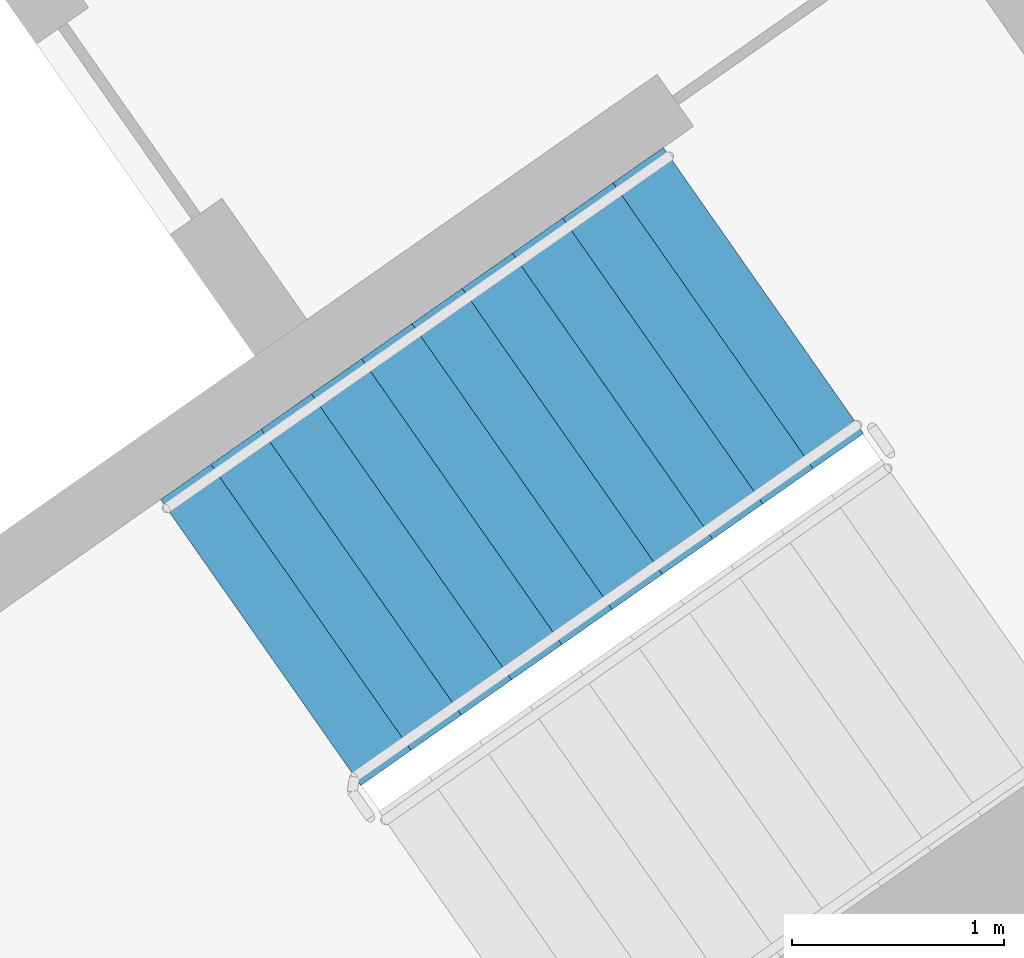
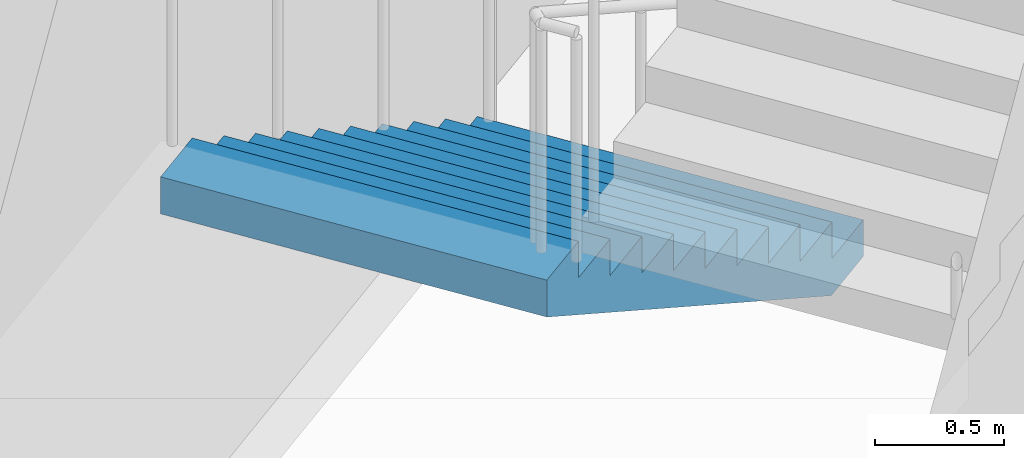
# One storey, part 13 of 30: 1 stair flight, 1 element without a shape of its own.
"""IFC4 building model written with IfcOpenShell, lengths in metres."""

from ifc_helpers import new_model, si_unit, direction, frame, origin, place, context, subcontext, project, spatial, faceted_brep, material, type_object, element, aggregate, save


model = new_model("IFC4")

# Units and contexts
model_context = context("Model", 3, precision=1e-05, world=origin(), true_north=direction((0.0, 1.0)))
body_context = subcontext(model_context, "Body", "Model", "MODEL_VIEW")
ifc_project = project(units=[si_unit("LENGTHUNIT", "METRE"), si_unit("AREAUNIT", "SQUARE_METRE"), si_unit("VOLUMEUNIT", "CUBIC_METRE"), si_unit("PLANEANGLEUNIT", "RADIAN"), si_unit("MASSUNIT", "GRAM", prefix="KILO")], contexts=[model_context])

# Site, building, storey
site_placement = place(None, origin())
site = spatial("IfcSite", under=ifc_project, at=site_placement, CompositionType="ELEMENT")
building_placement = place(site_placement, origin())
building = spatial("IfcBuilding", under=site, at=building_placement, Name="Qamariyya Broadcast Tower", CompositionType="ELEMENT")
storey_placement = place(building_placement, frame((0.0, 0.0, 203.699951171875)))
storey = spatial("IfcBuildingStorey", under=building, at=storey_placement, Name="L48", CompositionType="ELEMENT", Elevation=203.699951171875)

# Stair, stair flight
ifc_material = material(Name="Concrete C50/60", Category="concrete")
stair_type = type_object("IfcStairType", Name="Exit stair 22 risers of 173 mm", PredefinedType="HALF_TURN_STAIR", material=ifc_material)
stair_placement = place(storey_placement, origin())
stair = element("IfcStair", 1, at=stair_placement, inside=storey, type_object=stair_type, Name="L48 Stair E1", PredefinedType="HALF_TURN_STAIR")
stair_flight_type = type_object("IfcStairFlightType", Name="Exit stair flight 11 risers of 173 mm", PredefinedType="STRAIGHT", material=ifc_material)
stair_flight_placement = place(storey_placement, frame((46.036376953125, -55.508056640625, 0.0), z_axis=(0.0, 0.0, 1.0), x_axis=(-0.819152044289, -0.573576436351, 0.0)))
stair_flight = element("IfcStairFlight", 2, at=stair_flight_placement, type_object=stair_flight_type, Name="ST-E1 flight 1", NumberOfRisers=11, NumberOfTreads=10, PredefinedType="STRAIGHT", RiserHeight=0.172727273, TreadLength=0.29, context=body_context, shape_type="Brep", body=[
    faceted_brep([(0.0, 0.824951171875, 0.0), (0.0, 0.824951171875, 0.172607421875), (0.2900390625, 0.824951171875, 0.172607421875), (0.2900390625, 0.824951171875, 0.345458984375), (0.580078125, 0.824951171875, 0.345458984375), (0.580078125, 0.824951171875, 0.51806640625), (0.8701171875, 0.824951171875, 0.51806640625), (0.8701171875, 0.824951171875, 0.69091796875), (1.159912109375, 0.824951171875, 0.69091796875), (1.159912109375, 0.824951171875, 0.863525390625), (1.449951171875, 0.824951171875, 0.863525390625), (1.449951171875, 0.824951171875, 1.036376953125), (1.739990234375, 0.824951171875, 1.036376953125), (1.739990234375, 0.824951171875, 1.208984375), (2.030029296875, 0.824951171875, 1.208984375), (2.030029296875, 0.824951171875, 1.3818359375), (2.320068359375, 0.824951171875, 1.3818359375), (2.320068359375, 0.824951171875, 1.554443359375), (2.610107421875, 0.824951171875, 1.554443359375), (2.610107421875, 0.824951171875, 1.727294921875), (2.89990234375, 0.824951171875, 1.727294921875), (2.89990234375, 0.824951171875, 1.552734375), (0.29296875, 0.824951171875, 0.0), (0.29296875, -0.824951171875, 0.0), (2.89990234375, -0.824951171875, 1.552734375), (2.89990234375, -0.824951171875, 1.727294921875), (2.610107421875, -0.824951171875, 1.727294921875), (2.610107421875, -0.824951171875, 1.554443359375), (2.320068359375, -0.824951171875, 1.554443359375), (2.320068359375, -0.824951171875, 1.3818359375), (2.030029296875, -0.824951171875, 1.3818359375), (2.030029296875, -0.824951171875, 1.208984375), (1.739990234375, -0.824951171875, 1.208984375), (1.739990234375, -0.824951171875, 1.036376953125), (1.449951171875, -0.824951171875, 1.036376953125), (1.449951171875, -0.824951171875, 0.863525390625), (1.159912109375, -0.824951171875, 0.863525390625), (1.159912109375, -0.824951171875, 0.69091796875), (0.8701171875, -0.824951171875, 0.69091796875), (0.8701171875, -0.824951171875, 0.51806640625), (0.580078125, -0.824951171875, 0.51806640625), (0.580078125, -0.824951171875, 0.345458984375), (0.2900390625, -0.824951171875, 0.345458984375), (0.2900390625, -0.824951171875, 0.172607421875), (0.0, -0.824951171875, 0.172607421875), (0.0, -0.824951171875, 0.0), (0.0, 0.10009765625, 0.0), (0.0, 0.086669921875, 0.0), (0.0, 0.0732421875, 0.0), (0.0, 0.06005859375, 0.0), (0.0, 0.046630859375, 0.0), (0.0, 0.033447265625, 0.0), (0.0, 0.02001953125, 0.0), (0.0, 0.006591796875, 0.0), (0.0, -0.006591796875, 0.0), (0.0, -0.02001953125, 0.0), (0.0, -0.033447265625, 0.0), (0.0, -0.046630859375, 0.0), (0.0, -0.06005859375, 0.0), (0.0, -0.0732421875, 0.0), (0.0, -0.086669921875, 0.0), (0.0, -0.10009765625, 0.0), (0.0, -0.10009765625, 0.172607421875), (0.0, -0.086669921875, 0.172607421875), (0.0, -0.0732421875, 0.172607421875), (0.0, -0.06005859375, 0.172607421875), (0.0, -0.046630859375, 0.172607421875), (0.0, -0.033447265625, 0.172607421875), (0.0, -0.02001953125, 0.172607421875), (0.0, -0.006591796875, 0.172607421875), (0.0, 0.006591796875, 0.172607421875), (0.0, 0.02001953125, 0.172607421875), (0.0, 0.033447265625, 0.172607421875), (0.0, 0.046630859375, 0.172607421875), (0.0, 0.06005859375, 0.172607421875), (0.0, 0.0732421875, 0.172607421875), (0.0, 0.086669921875, 0.172607421875), (0.0, 0.10009765625, 0.172607421875), (0.2900390625, -0.10009765625, 0.172607421875), (0.2900390625, -0.086669921875, 0.172607421875), (0.2900390625, -0.0732421875, 0.172607421875), (0.2900390625, -0.06005859375, 0.172607421875), (0.2900390625, -0.046630859375, 0.172607421875), (0.2900390625, -0.033447265625, 0.172607421875), (0.2900390625, -0.02001953125, 0.172607421875), (0.2900390625, -0.006591796875, 0.172607421875), (0.2900390625, 0.006591796875, 0.172607421875), (0.2900390625, 0.02001953125, 0.172607421875), (0.2900390625, 0.033447265625, 0.172607421875), (0.2900390625, 0.046630859375, 0.172607421875), (0.2900390625, 0.06005859375, 0.172607421875), (0.2900390625, 0.0732421875, 0.172607421875), (0.2900390625, 0.086669921875, 0.172607421875), (0.2900390625, 0.10009765625, 0.172607421875), (0.2900390625, -0.10009765625, 0.345458984375), (0.2900390625, -0.086669921875, 0.345458984375), (0.2900390625, -0.0732421875, 0.345458984375), (0.2900390625, -0.06005859375, 0.345458984375), (0.2900390625, -0.046630859375, 0.345458984375), (0.2900390625, -0.033447265625, 0.345458984375), (0.2900390625, -0.02001953125, 0.345458984375), (0.2900390625, -0.006591796875, 0.345458984375), (0.2900390625, 0.006591796875, 0.345458984375), (0.2900390625, 0.02001953125, 0.345458984375), (0.2900390625, 0.033447265625, 0.345458984375), (0.2900390625, 0.046630859375, 0.345458984375), (0.2900390625, 0.06005859375, 0.345458984375), (0.2900390625, 0.0732421875, 0.345458984375), (0.2900390625, 0.086669921875, 0.345458984375), (0.2900390625, 0.10009765625, 0.345458984375), (0.580078125, -0.10009765625, 0.345458984375), (0.580078125, -0.086669921875, 0.345458984375), (0.580078125, -0.0732421875, 0.345458984375), (0.580078125, -0.06005859375, 0.345458984375), (0.580078125, -0.046630859375, 0.345458984375), (0.580078125, -0.033447265625, 0.345458984375), (0.580078125, -0.02001953125, 0.345458984375), (0.580078125, -0.006591796875, 0.345458984375), (0.580078125, 0.006591796875, 0.345458984375), (0.580078125, 0.02001953125, 0.345458984375), (0.580078125, 0.033447265625, 0.345458984375), (0.580078125, 0.046630859375, 0.345458984375), (0.580078125, 0.06005859375, 0.345458984375), (0.580078125, 0.0732421875, 0.345458984375), (0.580078125, 0.086669921875, 0.345458984375), (0.580078125, 0.10009765625, 0.345458984375), (0.580078125, -0.10009765625, 0.51806640625), (0.580078125, -0.086669921875, 0.51806640625), (0.580078125, -0.0732421875, 0.51806640625), (0.580078125, -0.06005859375, 0.51806640625), (0.580078125, -0.046630859375, 0.51806640625), (0.580078125, -0.033447265625, 0.51806640625), (0.580078125, -0.02001953125, 0.51806640625), (0.580078125, -0.006591796875, 0.51806640625), (0.580078125, 0.006591796875, 0.51806640625), (0.580078125, 0.02001953125, 0.51806640625), (0.580078125, 0.033447265625, 0.51806640625), (0.580078125, 0.046630859375, 0.51806640625), (0.580078125, 0.06005859375, 0.51806640625), (0.580078125, 0.0732421875, 0.51806640625), (0.580078125, 0.086669921875, 0.51806640625), (0.580078125, 0.10009765625, 0.51806640625), (0.8701171875, -0.10009765625, 0.51806640625), (0.8701171875, -0.086669921875, 0.51806640625), (0.8701171875, -0.0732421875, 0.51806640625), (0.8701171875, -0.06005859375, 0.51806640625), (0.8701171875, -0.046630859375, 0.51806640625), (0.8701171875, -0.033447265625, 0.51806640625), (0.8701171875, -0.02001953125, 0.51806640625), (0.8701171875, -0.006591796875, 0.51806640625), (0.8701171875, 0.006591796875, 0.51806640625), (0.8701171875, 0.02001953125, 0.51806640625), (0.8701171875, 0.033447265625, 0.51806640625), (0.8701171875, 0.046630859375, 0.51806640625), (0.8701171875, 0.06005859375, 0.51806640625), (0.8701171875, 0.0732421875, 0.51806640625), (0.8701171875, 0.086669921875, 0.51806640625), (0.8701171875, 0.10009765625, 0.51806640625), (0.8701171875, -0.10009765625, 0.69091796875), (0.8701171875, -0.086669921875, 0.69091796875), (0.8701171875, -0.0732421875, 0.69091796875), (0.8701171875, -0.06005859375, 0.69091796875), (0.8701171875, -0.046630859375, 0.69091796875), (0.8701171875, -0.033447265625, 0.69091796875), (0.8701171875, -0.02001953125, 0.69091796875), (0.8701171875, -0.006591796875, 0.69091796875), (0.8701171875, 0.006591796875, 0.69091796875), (0.8701171875, 0.02001953125, 0.69091796875), (0.8701171875, 0.033447265625, 0.69091796875), (0.8701171875, 0.046630859375, 0.69091796875), (0.8701171875, 0.06005859375, 0.69091796875), (0.8701171875, 0.0732421875, 0.69091796875), (0.8701171875, 0.086669921875, 0.69091796875), (0.8701171875, 0.10009765625, 0.69091796875), (1.159912109375, -0.10009765625, 0.69091796875), (1.159912109375, -0.086669921875, 0.69091796875), (1.159912109375, -0.0732421875, 0.69091796875), (1.159912109375, -0.06005859375, 0.69091796875), (1.159912109375, -0.046630859375, 0.69091796875), (1.159912109375, -0.033447265625, 0.69091796875), (1.159912109375, -0.02001953125, 0.69091796875), (1.159912109375, -0.006591796875, 0.69091796875), (1.159912109375, 0.006591796875, 0.69091796875), (1.159912109375, 0.02001953125, 0.69091796875), (1.159912109375, 0.033447265625, 0.69091796875), (1.159912109375, 0.046630859375, 0.69091796875), (1.159912109375, 0.06005859375, 0.69091796875), (1.159912109375, 0.0732421875, 0.69091796875), (1.159912109375, 0.086669921875, 0.69091796875), (1.159912109375, 0.10009765625, 0.69091796875), (1.159912109375, -0.10009765625, 0.863525390625), (1.159912109375, -0.086669921875, 0.863525390625), (1.159912109375, -0.0732421875, 0.863525390625), (1.159912109375, -0.06005859375, 0.863525390625), (1.159912109375, -0.046630859375, 0.863525390625), (1.159912109375, -0.033447265625, 0.863525390625), (1.159912109375, -0.02001953125, 0.863525390625), (1.159912109375, -0.006591796875, 0.863525390625), (1.159912109375, 0.006591796875, 0.863525390625), (1.159912109375, 0.02001953125, 0.863525390625), (1.159912109375, 0.033447265625, 0.863525390625), (1.159912109375, 0.046630859375, 0.863525390625), (1.159912109375, 0.06005859375, 0.863525390625), (1.159912109375, 0.0732421875, 0.863525390625), (1.159912109375, 0.086669921875, 0.863525390625), (1.159912109375, 0.10009765625, 0.863525390625), (1.449951171875, -0.10009765625, 0.863525390625), (1.449951171875, -0.086669921875, 0.863525390625), (1.449951171875, -0.0732421875, 0.863525390625), (1.449951171875, -0.06005859375, 0.863525390625), (1.449951171875, -0.046630859375, 0.863525390625), (1.449951171875, -0.033447265625, 0.863525390625), (1.449951171875, -0.02001953125, 0.863525390625), (1.449951171875, -0.006591796875, 0.863525390625), (1.449951171875, 0.006591796875, 0.863525390625), (1.449951171875, 0.02001953125, 0.863525390625), (1.449951171875, 0.033447265625, 0.863525390625), (1.449951171875, 0.046630859375, 0.863525390625), (1.449951171875, 0.06005859375, 0.863525390625), (1.449951171875, 0.0732421875, 0.863525390625), (1.449951171875, 0.086669921875, 0.863525390625), (1.449951171875, 0.10009765625, 0.863525390625), (1.449951171875, -0.10009765625, 1.036376953125), (1.449951171875, -0.086669921875, 1.036376953125), (1.449951171875, -0.0732421875, 1.036376953125), (1.449951171875, -0.06005859375, 1.036376953125), (1.449951171875, -0.046630859375, 1.036376953125), (1.449951171875, -0.033447265625, 1.036376953125), (1.449951171875, -0.02001953125, 1.036376953125), (1.449951171875, -0.006591796875, 1.036376953125), (1.449951171875, 0.006591796875, 1.036376953125), (1.449951171875, 0.02001953125, 1.036376953125), (1.449951171875, 0.033447265625, 1.036376953125), (1.449951171875, 0.046630859375, 1.036376953125), (1.449951171875, 0.06005859375, 1.036376953125), (1.449951171875, 0.0732421875, 1.036376953125), (1.449951171875, 0.086669921875, 1.036376953125), (1.449951171875, 0.10009765625, 1.036376953125), (1.739990234375, -0.10009765625, 1.036376953125), (1.739990234375, -0.086669921875, 1.036376953125), (1.739990234375, -0.0732421875, 1.036376953125), (1.739990234375, -0.06005859375, 1.036376953125), (1.739990234375, -0.046630859375, 1.036376953125), (1.739990234375, -0.033447265625, 1.036376953125), (1.739990234375, -0.02001953125, 1.036376953125), (1.739990234375, -0.006591796875, 1.036376953125), (1.739990234375, 0.006591796875, 1.036376953125), (1.739990234375, 0.02001953125, 1.036376953125), (1.739990234375, 0.033447265625, 1.036376953125), (1.739990234375, 0.046630859375, 1.036376953125), (1.739990234375, 0.06005859375, 1.036376953125), (1.739990234375, 0.0732421875, 1.036376953125), (1.739990234375, 0.086669921875, 1.036376953125), (1.739990234375, 0.10009765625, 1.036376953125), (1.739990234375, -0.10009765625, 1.208984375), (1.739990234375, -0.086669921875, 1.208984375), (1.739990234375, -0.0732421875, 1.208984375), (1.739990234375, -0.06005859375, 1.208984375), (1.739990234375, -0.046630859375, 1.208984375), (1.739990234375, -0.033447265625, 1.208984375), (1.739990234375, -0.02001953125, 1.208984375), (1.739990234375, -0.006591796875, 1.208984375), (1.739990234375, 0.006591796875, 1.208984375), (1.739990234375, 0.02001953125, 1.208984375), (1.739990234375, 0.033447265625, 1.208984375), (1.739990234375, 0.046630859375, 1.208984375), (1.739990234375, 0.06005859375, 1.208984375), (1.739990234375, 0.0732421875, 1.208984375), (1.739990234375, 0.086669921875, 1.208984375), (1.739990234375, 0.10009765625, 1.208984375), (2.030029296875, -0.10009765625, 1.208984375), (2.030029296875, -0.086669921875, 1.208984375), (2.030029296875, -0.0732421875, 1.208984375), (2.030029296875, -0.06005859375, 1.208984375), (2.030029296875, -0.046630859375, 1.208984375), (2.030029296875, -0.033447265625, 1.208984375), (2.030029296875, -0.02001953125, 1.208984375), (2.030029296875, -0.006591796875, 1.208984375), (2.030029296875, 0.006591796875, 1.208984375), (2.030029296875, 0.02001953125, 1.208984375), (2.030029296875, 0.033447265625, 1.208984375), (2.030029296875, 0.046630859375, 1.208984375), (2.030029296875, 0.06005859375, 1.208984375), (2.030029296875, 0.0732421875, 1.208984375), (2.030029296875, 0.086669921875, 1.208984375), (2.030029296875, 0.10009765625, 1.208984375), (2.030029296875, -0.10009765625, 1.3818359375), (2.030029296875, -0.086669921875, 1.3818359375), (2.030029296875, -0.0732421875, 1.3818359375), (2.030029296875, -0.06005859375, 1.3818359375), (2.030029296875, -0.046630859375, 1.3818359375), (2.030029296875, -0.033447265625, 1.3818359375), (2.030029296875, -0.02001953125, 1.3818359375), (2.030029296875, -0.006591796875, 1.3818359375), (2.030029296875, 0.006591796875, 1.3818359375), (2.030029296875, 0.02001953125, 1.3818359375), (2.030029296875, 0.033447265625, 1.3818359375), (2.030029296875, 0.046630859375, 1.3818359375), (2.030029296875, 0.06005859375, 1.3818359375), (2.030029296875, 0.0732421875, 1.3818359375), (2.030029296875, 0.086669921875, 1.3818359375), (2.030029296875, 0.10009765625, 1.3818359375), (2.320068359375, -0.10009765625, 1.3818359375), (2.320068359375, -0.086669921875, 1.3818359375), (2.320068359375, -0.0732421875, 1.3818359375), (2.320068359375, -0.06005859375, 1.3818359375), (2.320068359375, -0.046630859375, 1.3818359375), (2.320068359375, -0.033447265625, 1.3818359375), (2.320068359375, -0.02001953125, 1.3818359375), (2.320068359375, -0.006591796875, 1.3818359375), (2.320068359375, 0.006591796875, 1.3818359375), (2.320068359375, 0.02001953125, 1.3818359375), (2.320068359375, 0.033447265625, 1.3818359375), (2.320068359375, 0.046630859375, 1.3818359375), (2.320068359375, 0.06005859375, 1.3818359375), (2.320068359375, 0.0732421875, 1.3818359375), (2.320068359375, 0.086669921875, 1.3818359375), (2.320068359375, 0.10009765625, 1.3818359375), (2.320068359375, -0.10009765625, 1.554443359375), (2.320068359375, -0.086669921875, 1.554443359375), (2.320068359375, -0.0732421875, 1.554443359375), (2.320068359375, -0.06005859375, 1.554443359375), (2.320068359375, -0.046630859375, 1.554443359375), (2.320068359375, -0.033447265625, 1.554443359375), (2.320068359375, -0.02001953125, 1.554443359375), (2.320068359375, -0.006591796875, 1.554443359375), (2.320068359375, 0.006591796875, 1.554443359375), (2.320068359375, 0.02001953125, 1.554443359375), (2.320068359375, 0.033447265625, 1.554443359375), (2.320068359375, 0.046630859375, 1.554443359375), (2.320068359375, 0.06005859375, 1.554443359375), (2.320068359375, 0.0732421875, 1.554443359375), (2.320068359375, 0.086669921875, 1.554443359375), (2.320068359375, 0.10009765625, 1.554443359375), (2.610107421875, -0.10009765625, 1.554443359375), (2.610107421875, -0.086669921875, 1.554443359375), (2.610107421875, -0.0732421875, 1.554443359375), (2.610107421875, -0.06005859375, 1.554443359375), (2.610107421875, -0.046630859375, 1.554443359375), (2.610107421875, -0.033447265625, 1.554443359375), (2.610107421875, -0.02001953125, 1.554443359375), (2.610107421875, -0.006591796875, 1.554443359375), (2.610107421875, 0.006591796875, 1.554443359375), (2.610107421875, 0.02001953125, 1.554443359375), (2.610107421875, 0.033447265625, 1.554443359375), (2.610107421875, 0.046630859375, 1.554443359375), (2.610107421875, 0.06005859375, 1.554443359375), (2.610107421875, 0.0732421875, 1.554443359375), (2.610107421875, 0.086669921875, 1.554443359375), (2.610107421875, 0.10009765625, 1.554443359375), (2.610107421875, -0.10009765625, 1.727294921875), (2.610107421875, -0.086669921875, 1.727294921875), (2.610107421875, -0.0732421875, 1.727294921875), (2.610107421875, -0.06005859375, 1.727294921875), (2.610107421875, -0.046630859375, 1.727294921875), (2.610107421875, -0.033447265625, 1.727294921875), (2.610107421875, -0.02001953125, 1.727294921875), (2.610107421875, -0.006591796875, 1.727294921875), (2.610107421875, 0.006591796875, 1.727294921875), (2.610107421875, 0.02001953125, 1.727294921875), (2.610107421875, 0.033447265625, 1.727294921875), (2.610107421875, 0.046630859375, 1.727294921875), (2.610107421875, 0.06005859375, 1.727294921875), (2.610107421875, 0.0732421875, 1.727294921875), (2.610107421875, 0.086669921875, 1.727294921875), (2.610107421875, 0.10009765625, 1.727294921875), (2.89990234375, -0.10009765625, 1.727294921875), (2.89990234375, -0.086669921875, 1.727294921875), (2.89990234375, -0.0732421875, 1.727294921875), (2.89990234375, -0.06005859375, 1.727294921875), (2.89990234375, -0.046630859375, 1.727294921875), (2.89990234375, -0.033447265625, 1.727294921875), (2.89990234375, -0.02001953125, 1.727294921875), (2.89990234375, -0.006591796875, 1.727294921875), (2.89990234375, 0.006591796875, 1.727294921875), (2.89990234375, 0.02001953125, 1.727294921875), (2.89990234375, 0.033447265625, 1.727294921875), (2.89990234375, 0.046630859375, 1.727294921875), (2.89990234375, 0.06005859375, 1.727294921875), (2.89990234375, 0.0732421875, 1.727294921875), (2.89990234375, 0.086669921875, 1.727294921875), (2.89990234375, 0.10009765625, 1.727294921875), (2.89990234375, -0.10009765625, 1.552734375), (2.89990234375, -0.086669921875, 1.552734375), (2.89990234375, -0.0732421875, 1.552734375), (2.89990234375, -0.06005859375, 1.552734375), (2.89990234375, -0.046630859375, 1.552734375), (2.89990234375, -0.033447265625, 1.552734375), (2.89990234375, -0.02001953125, 1.552734375), (2.89990234375, -0.006591796875, 1.552734375), (2.89990234375, 0.006591796875, 1.552734375), (2.89990234375, 0.02001953125, 1.552734375), (2.89990234375, 0.033447265625, 1.552734375), (2.89990234375, 0.046630859375, 1.552734375), (2.89990234375, 0.06005859375, 1.552734375), (2.89990234375, 0.0732421875, 1.552734375), (2.89990234375, 0.086669921875, 1.552734375), (2.89990234375, 0.10009765625, 1.552734375), (0.29296875, -0.10009765625, 0.0), (0.29296875, -0.086669921875, 0.0), (0.29296875, -0.0732421875, 0.0), (0.29296875, -0.06005859375, 0.0), (0.29296875, -0.046630859375, 0.0), (0.29296875, -0.033447265625, 0.0), (0.29296875, -0.02001953125, 0.0), (0.29296875, -0.006591796875, 0.0), (0.29296875, 0.006591796875, 0.0), (0.29296875, 0.02001953125, 0.0), (0.29296875, 0.033447265625, 0.0), (0.29296875, 0.046630859375, 0.0), (0.29296875, 0.06005859375, 0.0), (0.29296875, 0.0732421875, 0.0), (0.29296875, 0.086669921875, 0.0), (0.29296875, 0.10009765625, 0.0)], [[[0, 1, 2, 3, 4, 5, 6, 7, 8, 9, 10, 11, 12, 13, 14, 15, 16, 17, 18, 19, 20, 21, 22]], [[23, 24, 25, 26, 27, 28, 29, 30, 31, 32, 33, 34, 35, 36, 37, 38, 39, 40, 41, 42, 43, 44, 45]], [[0, 46, 47, 48, 49, 50, 51, 52, 53, 54, 55, 56, 57, 58, 59, 60, 61, 45, 44, 62, 63, 64, 65, 66, 67, 68, 69, 70, 71, 72, 73, 74, 75, 76, 77, 1]], [[1, 77, 76, 75, 74, 73, 72, 71, 70, 69, 68, 67, 66, 65, 64, 63, 62, 44, 43, 78, 79, 80, 81, 82, 83, 84, 85, 86, 87, 88, 89, 90, 91, 92, 93, 2]], [[2, 93, 92, 91, 90, 89, 88, 87, 86, 85, 84, 83, 82, 81, 80, 79, 78, 43, 42, 94, 95, 96, 97, 98, 99, 100, 101, 102, 103, 104, 105, 106, 107, 108, 109, 3]], [[3, 109, 108, 107, 106, 105, 104, 103, 102, 101, 100, 99, 98, 97, 96, 95, 94, 42, 41, 110, 111, 112, 113, 114, 115, 116, 117, 118, 119, 120, 121, 122, 123, 124, 125, 4]], [[4, 125, 124, 123, 122, 121, 120, 119, 118, 117, 116, 115, 114, 113, 112, 111, 110, 41, 40, 126, 127, 128, 129, 130, 131, 132, 133, 134, 135, 136, 137, 138, 139, 140, 141, 5]], [[5, 141, 140, 139, 138, 137, 136, 135, 134, 133, 132, 131, 130, 129, 128, 127, 126, 40, 39, 142, 143, 144, 145, 146, 147, 148, 149, 150, 151, 152, 153, 154, 155, 156, 157, 6]], [[6, 157, 156, 155, 154, 153, 152, 151, 150, 149, 148, 147, 146, 145, 144, 143, 142, 39, 38, 158, 159, 160, 161, 162, 163, 164, 165, 166, 167, 168, 169, 170, 171, 172, 173, 7]], [[7, 173, 172, 171, 170, 169, 168, 167, 166, 165, 164, 163, 162, 161, 160, 159, 158, 38, 37, 174, 175, 176, 177, 178, 179, 180, 181, 182, 183, 184, 185, 186, 187, 188, 189, 8]], [[8, 189, 188, 187, 186, 185, 184, 183, 182, 181, 180, 179, 178, 177, 176, 175, 174, 37, 36, 190, 191, 192, 193, 194, 195, 196, 197, 198, 199, 200, 201, 202, 203, 204, 205, 9]], [[9, 205, 204, 203, 202, 201, 200, 199, 198, 197, 196, 195, 194, 193, 192, 191, 190, 36, 35, 206, 207, 208, 209, 210, 211, 212, 213, 214, 215, 216, 217, 218, 219, 220, 221, 10]], [[10, 221, 220, 219, 218, 217, 216, 215, 214, 213, 212, 211, 210, 209, 208, 207, 206, 35, 34, 222, 223, 224, 225, 226, 227, 228, 229, 230, 231, 232, 233, 234, 235, 236, 237, 11]], [[11, 237, 236, 235, 234, 233, 232, 231, 230, 229, 228, 227, 226, 225, 224, 223, 222, 34, 33, 238, 239, 240, 241, 242, 243, 244, 245, 246, 247, 248, 249, 250, 251, 252, 253, 12]], [[12, 253, 252, 251, 250, 249, 248, 247, 246, 245, 244, 243, 242, 241, 240, 239, 238, 33, 32, 254, 255, 256, 257, 258, 259, 260, 261, 262, 263, 264, 265, 266, 267, 268, 269, 13]], [[13, 269, 268, 267, 266, 265, 264, 263, 262, 261, 260, 259, 258, 257, 256, 255, 254, 32, 31, 270, 271, 272, 273, 274, 275, 276, 277, 278, 279, 280, 281, 282, 283, 284, 285, 14]], [[14, 285, 284, 283, 282, 281, 280, 279, 278, 277, 276, 275, 274, 273, 272, 271, 270, 31, 30, 286, 287, 288, 289, 290, 291, 292, 293, 294, 295, 296, 297, 298, 299, 300, 301, 15]], [[15, 301, 300, 299, 298, 297, 296, 295, 294, 293, 292, 291, 290, 289, 288, 287, 286, 30, 29, 302, 303, 304, 305, 306, 307, 308, 309, 310, 311, 312, 313, 314, 315, 316, 317, 16]], [[16, 317, 316, 315, 314, 313, 312, 311, 310, 309, 308, 307, 306, 305, 304, 303, 302, 29, 28, 318, 319, 320, 321, 322, 323, 324, 325, 326, 327, 328, 329, 330, 331, 332, 333, 17]], [[17, 333, 332, 331, 330, 329, 328, 327, 326, 325, 324, 323, 322, 321, 320, 319, 318, 28, 27, 334, 335, 336, 337, 338, 339, 340, 341, 342, 343, 344, 345, 346, 347, 348, 349, 18]], [[18, 349, 348, 347, 346, 345, 344, 343, 342, 341, 340, 339, 338, 337, 336, 335, 334, 27, 26, 350, 351, 352, 353, 354, 355, 356, 357, 358, 359, 360, 361, 362, 363, 364, 365, 19]], [[19, 365, 364, 363, 362, 361, 360, 359, 358, 357, 356, 355, 354, 353, 352, 351, 350, 26, 25, 366, 367, 368, 369, 370, 371, 372, 373, 374, 375, 376, 377, 378, 379, 380, 381, 20]], [[20, 381, 380, 379, 378, 377, 376, 375, 374, 373, 372, 371, 370, 369, 368, 367, 366, 25, 24, 382, 383, 384, 385, 386, 387, 388, 389, 390, 391, 392, 393, 394, 395, 396, 397, 21]], [[21, 397, 396, 395, 394, 393, 392, 391, 390, 389, 388, 387, 386, 385, 384, 383, 382, 24, 23, 398, 399, 400, 401, 402, 403, 404, 405, 406, 407, 408, 409, 410, 411, 412, 413, 22]], [[22, 413, 412, 411, 410, 409, 408, 407, 406, 405, 404, 403, 402, 401, 400, 399, 398, 23, 45, 61, 60, 59, 58, 57, 56, 55, 54, 53, 52, 51, 50, 49, 48, 47, 46, 0]]]),
])
aggregate(stair, [stair_flight])

save(model, "model.ifc")
